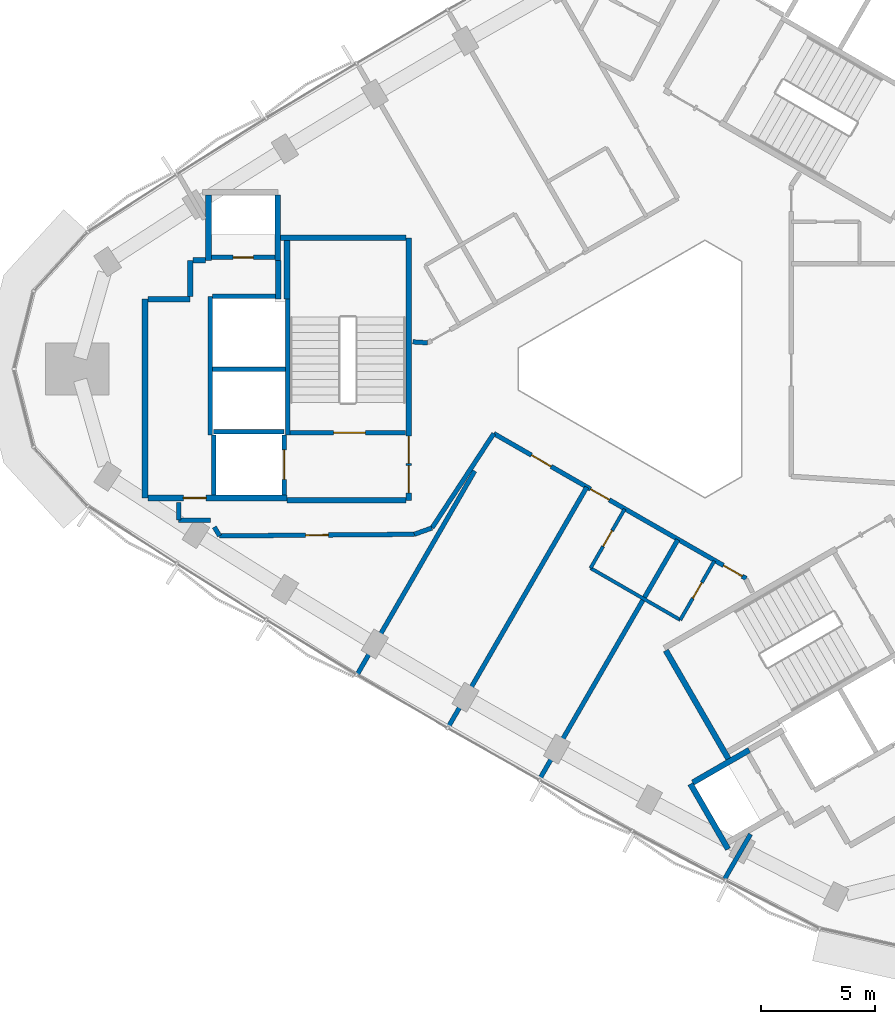
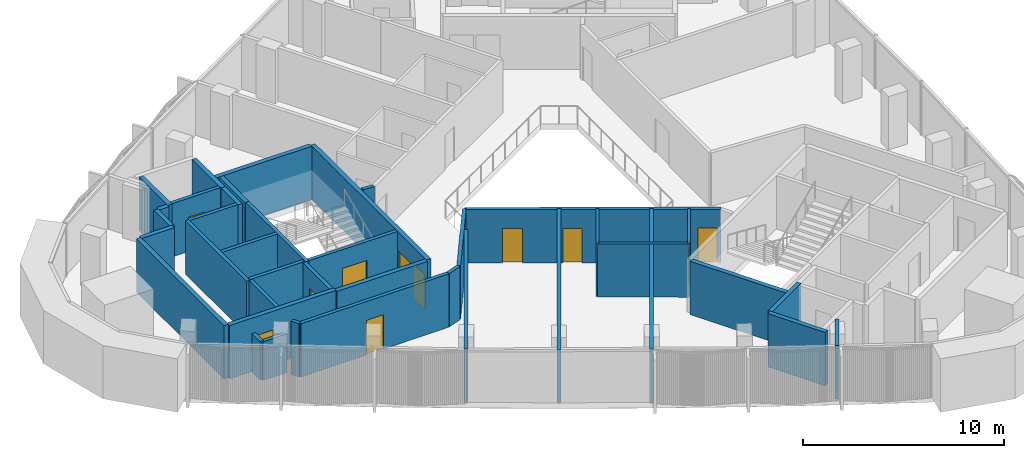
# One storey, part 8 of 14: 39 walls, 12 doors, 12 openings.
"""IFC4 building model written with IfcOpenShell, lengths in metres."""

from ifc_helpers import new_model, si_unit, direction, frame, frame_2d, origin, place, context, subcontext, project, spatial, rectangle, extrude, material, layer, layer_set, type_object, element, fill, save


model = new_model("IFC4")

# Units and contexts
model_context = context("Model", 3, precision=1e-05, world=origin(), true_north=direction((0.0, 1.0)))
body_context = subcontext(model_context, "Body", "Model", "MODEL_VIEW")
ifc_project = project(units=[si_unit("LENGTHUNIT", "METRE"), si_unit("AREAUNIT", "SQUARE_METRE"), si_unit("VOLUMEUNIT", "CUBIC_METRE"), si_unit("PLANEANGLEUNIT", "RADIAN"), si_unit("MASSUNIT", "GRAM", prefix="KILO")], contexts=[model_context])

# Site, building, storey
site_placement = place(None, origin())
site = spatial("IfcSite", under=ifc_project, at=site_placement, CompositionType="ELEMENT")
building_placement = place(site_placement, origin())
building = spatial("IfcBuilding", under=site, at=building_placement, Name="Tamra Quay Hotel Tower", CompositionType="ELEMENT")
storey_placement = place(building_placement, frame((0.0, 0.0, 228.60009765625)))
storey = spatial("IfcBuildingStorey", under=building, at=storey_placement, Name="L57", CompositionType="ELEMENT", Elevation=228.60009765625)

# Walls
ifc_material_1 = material(Name="Concrete M70", Category="concrete")
ifc_layer_1 = layer(ifc_material_1, 0.199951171875)
ifc_layer_set_1 = layer_set([ifc_layer_1], Name="Concrete M70 core wall 200")
wall_type_1 = type_object("IfcWallType", Name="Concrete M70 core wall 200", PredefinedType="SHEAR", material=ifc_layer_set_1)
wall_1_placement = place(storey_placement, frame((-16.162109375, 3.073974609375, 0.0), z_axis=(0.0, 0.0, 1.0), x_axis=(0.0, -1.0, 0.0)))
element("IfcWall", 1, at=wall_1_placement, inside=storey, type_object=wall_type_1, Name="CW2", PredefinedType="SHEAR", context=body_context, shape_type="SweptSolid", body=[
    extrude(rectangle(XDim=5.97412109375, YDim=0.199951171875, at=frame_2d((2.987060546875, 0.0))), origin(), (0.0, 0.0, 1.0), 3.25),
])
wall_2_placement = place(storey_placement, frame((-19.5625, -2.900146484375, 0.0), z_axis=(0.0, 0.0, 1.0), x_axis=(0.0, 1.0, 0.0)))
element("IfcWall", 2, at=wall_2_placement, inside=storey, type_object=wall_type_1, Name="CW2", PredefinedType="SHEAR", context=body_context, shape_type="SweptSolid", body=[
    extrude(rectangle(XDim=6.100341796875, YDim=0.199951171875, at=frame_2d((3.05029296875, 0.0))), origin(), (0.0, 0.0, 1.0), 3.25),
])

# Wall, opening, door
wall_3_placement = place(storey_placement, frame((-10.96337890625, -2.800048828125, 0.0), z_axis=(0.0, 0.0, 1.0), x_axis=(-1.0, 0.0, 0.0)))
wall_3 = element("IfcWall", 3, at=wall_3_placement, inside=storey, type_object=wall_type_1, Name="CW2", PredefinedType="SHEAR", context=body_context, shape_type="SweptSolid", body=[
    extrude(rectangle(XDim=5.097900390625, YDim=0.199951171875, at=frame_2d((2.548828125, 0.0))), origin(), (0.0, 0.0, 1.0), 3.25),
])
opening_1_placement = place(wall_3_placement, frame((1.77392578125, 0.0, 0.0)))
opening_1 = element("IfcOpeningElement", 4, at=opening_1_placement, cuts=wall_3, Name="Opening FD2", PredefinedType="OPENING", context=body_context, shape_type="SweptSolid", body=[
    extrude(rectangle(XDim=1.39990234375, YDim=2.10009765625, at=frame_2d((0.699951171875, 1.050048828125))), frame((0.0, 0.10986328125, 0.0), z_axis=(0.0, -1.0, 0.0), x_axis=(1.0, 0.0, 0.0)), (0.0, 0.0, 1.0), 0.219970703125),
])
ifc_material_2 = material(Name="Core door FD2 1400x2100 LH")
door_type_1 = type_object("IfcDoorType", Name="Core door FD2 1400x2100 LH", OperationType="NOTDEFINED", PredefinedType="DOOR", material=ifc_material_2)
door_1_placement = place(opening_1_placement, origin())
door_1 = element("IfcDoor", 5, at=door_1_placement, inside=storey, type_object=door_type_1, Name="FD2", OperationType="SINGLE_SWING_LEFT", OverallHeight=2.10009765625, OverallWidth=1.39990234375, PredefinedType="DOOR", context=body_context, shape_type="SweptSolid", body=[
    extrude(rectangle(XDim=1.39990234375, YDim=2.10009765625, at=frame_2d((0.699951171875, 1.050048828125))), frame((0.0, 0.02490234375, 0.0), z_axis=(0.0, -1.0, 0.0), x_axis=(1.0, 0.0, 0.0)), (0.0, 0.0, 1.0), 0.050048828125),
])
fill(opening_1, door_1)

# Wall
wall_4_placement = place(storey_placement, frame((-16.26318359375, 0.0, 0.0), z_axis=(0.0, 0.0, 1.0), x_axis=(-1.0, 0.0, 0.0)))
element("IfcWall", 6, at=wall_4_placement, inside=storey, type_object=wall_type_1, Name="CW2", PredefinedType="SHEAR", context=body_context, shape_type="SweptSolid", body=[
    extrude(rectangle(XDim=3.1982421875, YDim=0.199951171875, at=frame_2d((1.59912109375, 0.0))), origin(), (0.0, 0.0, 1.0), 3.25),
])

# Wall, opening, door
wall_5_placement = place(storey_placement, frame((-19.51123046875, 4.91015625, 0.0), z_axis=(0.0, 0.0, 1.0), x_axis=(1.0, 0.0, 0.0)))
wall_5 = element("IfcWall", 7, at=wall_5_placement, inside=storey, type_object=wall_type_1, Name="CW2", PredefinedType="SHEAR", context=body_context, shape_type="SweptSolid", body=[
    extrude(rectangle(XDim=2.7978515625, YDim=0.199951171875, at=frame_2d((1.39892578125, 0.0))), origin(), (0.0, 0.0, 1.0), 3.25),
])
opening_2_placement = place(wall_5_placement, frame((0.948974609375, 0.0, 0.0)))
opening_2 = element("IfcOpeningElement", 8, at=opening_2_placement, cuts=wall_5, Name="Opening D1", PredefinedType="OPENING", context=body_context, shape_type="SweptSolid", body=[
    extrude(rectangle(XDim=0.89990234375, YDim=2.10009765625, at=frame_2d((0.449951171875, 1.050048828125))), frame((0.0, 0.10986328125, 0.0), z_axis=(0.0, -1.0, 0.0), x_axis=(1.0, 0.0, 0.0)), (0.0, 0.0, 1.0), 0.219970703125),
])
ifc_material_3 = material(Name="Core door D1 900x2100 RH")
door_type_2 = type_object("IfcDoorType", Name="Core door D1 900x2100 RH", OperationType="NOTDEFINED", PredefinedType="DOOR", material=ifc_material_3)
door_2_placement = place(opening_2_placement, origin())
door_2 = element("IfcDoor", 9, at=door_2_placement, inside=storey, type_object=door_type_2, Name="D1", OperationType="SINGLE_SWING_RIGHT", OverallHeight=2.10009765625, OverallWidth=0.89990234375, PredefinedType="DOOR", context=body_context, shape_type="SweptSolid", body=[
    extrude(rectangle(XDim=0.89990234375, YDim=2.10009765625, at=frame_2d((0.449951171875, 1.050048828125))), frame((0.0, 0.02490234375, 0.0), z_axis=(0.0, -1.0, 0.0), x_axis=(1.0, 0.0, 0.0)), (0.0, 0.0, 1.0), 0.050048828125),
])
fill(opening_2, door_2)

# Walls
wall_6_placement = place(storey_placement, frame((-19.46240234375, 3.2001953125, 0.0), z_axis=(0.0, 0.0, 1.0), x_axis=(1.0, 0.0, 0.0)))
element("IfcWall", 10, at=wall_6_placement, inside=storey, type_object=wall_type_1, Name="CW2", PredefinedType="SHEAR", context=body_context, shape_type="SweptSolid", body=[
    extrude(rectangle(XDim=2.759033203125, YDim=0.199951171875, at=frame_2d((1.37939453125, 0.0))), origin(), (0.0, 0.0, 1.0), 3.25),
])
wall_7_placement = place(storey_placement, frame((-19.412353515625, -2.75, 0.0), z_axis=(0.0, 0.0, 1.0), x_axis=(1.0, 0.0, 0.0)))
element("IfcWall", 11, at=wall_7_placement, inside=storey, type_object=wall_type_1, Name="CW2", PredefinedType="SHEAR", context=body_context, shape_type="SweptSolid", body=[
    extrude(rectangle(XDim=3.10009765625, YDim=0.199951171875, at=frame_2d((1.550048828125, 0.0))), origin(), (0.0, 0.0, 1.0), 3.25),
])

# Wall, opening, door
wall_8_placement = place(storey_placement, frame((-16.312255859375, -2.898193359375, 0.0), z_axis=(0.0, 0.0, 1.0), x_axis=(0.0, -1.0, 0.0)))
wall_8 = element("IfcWall", 12, at=wall_8_placement, inside=storey, type_object=wall_type_1, Name="CW2", PredefinedType="SHEAR", context=body_context, shape_type="SweptSolid", body=[
    extrude(rectangle(XDim=2.65087890625, YDim=0.199951171875, at=frame_2d((1.325439453125, 0.0))), origin(), (0.0, 0.0, 1.0), 3.25),
])
opening_3_placement = place(wall_8_placement, frame((0.65185546875, 0.0, 0.0)))
opening_3 = element("IfcOpeningElement", 13, at=opening_3_placement, cuts=wall_8, Name="Opening LD", PredefinedType="OPENING", context=body_context, shape_type="SweptSolid", body=[
    extrude(rectangle(XDim=1.300048828125, YDim=2.10009765625, at=frame_2d((0.64990234375, 1.050048828125))), frame((0.0, 0.10986328125, 0.0), z_axis=(0.0, -1.0, 0.0), x_axis=(1.0, 0.0, 0.0)), (0.0, 0.0, 1.0), 0.219970703125),
])
ifc_material_4 = material(Name="Landing door LD 1300 sliding to left")
door_type_3 = type_object("IfcDoorType", Name="Landing door LD 1300 sliding to left", OperationType="NOTDEFINED", PredefinedType="DOOR", material=ifc_material_4)
door_3_placement = place(opening_3_placement, origin())
door_3 = element("IfcDoor", 14, at=door_3_placement, inside=storey, type_object=door_type_3, Name="LD", OperationType="SLIDING_TO_LEFT", OverallHeight=2.10009765625, OverallWidth=1.300048828125, PredefinedType="DOOR", context=body_context, shape_type="SweptSolid", body=[
    extrude(rectangle(XDim=1.300048828125, YDim=2.10009765625, at=frame_2d((0.64990234375, 1.050048828125))), frame((0.0, 0.02490234375, 0.0), z_axis=(0.0, -1.0, 0.0), x_axis=(1.0, 0.0, 0.0)), (0.0, 0.0, 1.0), 0.050048828125),
])
fill(opening_3, door_3)

# Wall
wall_9_placement = place(storey_placement, frame((-19.412353515625, -5.549072265625, 0.0), z_axis=(0.0, 0.0, 1.0), x_axis=(0.0, 1.0, 0.0)))
element("IfcWall", 15, at=wall_9_placement, inside=storey, type_object=wall_type_1, Name="CW2", PredefinedType="SHEAR", context=body_context, shape_type="SweptSolid", body=[
    extrude(rectangle(XDim=2.65087890625, YDim=0.199951171875, at=frame_2d((1.325439453125, 0.0))), origin(), (0.0, 0.0, 1.0), 3.25),
])

# Wall, openings, doors
ifc_layer_2 = layer(ifc_material_1, 0.25)
ifc_layer_set_2 = layer_set([ifc_layer_2], Name="Concrete M70 core wall 250")
wall_type_2 = type_object("IfcWallType", Name="Concrete M70 core wall 250", PredefinedType="SHEAR", material=ifc_layer_set_2)
wall_10_placement = place(storey_placement, frame((-10.83740234375, 5.77490234375, 0.0), z_axis=(0.0, 0.0, 1.0), x_axis=(0.0, -1.0, 0.0)))
wall_10 = element("IfcWall", 16, at=wall_10_placement, inside=storey, type_object=wall_type_2, Name="CW1", PredefinedType="SHEAR", context=body_context, shape_type="SweptSolid", body=[
    extrude(rectangle(XDim=11.5498046875, YDim=0.25, at=frame_2d((5.77490234375, 0.0))), origin(), (0.0, 0.0, 1.0), 3.25),
])
opening_4_placement = place(wall_10_placement, frame((10.02490234375, 0.0, 0.0)))
opening_4 = element("IfcOpeningElement", 17, at=opening_4_placement, cuts=wall_10, Name="Opening FD1", PredefinedType="OPENING", context=body_context, shape_type="SweptSolid", body=[
    extrude(rectangle(XDim=1.199951171875, YDim=2.10009765625, at=frame_2d((0.60009765625, 1.050048828125))), frame((0.0, 0.135009765625, 0.0), z_axis=(0.0, -1.0, 0.0), x_axis=(1.0, 0.0, 0.0)), (0.0, 0.0, 1.0), 0.27001953125),
])
opening_5_placement = place(wall_10_placement, frame((8.72509765625, 0.0, 0.0)))
opening_5 = element("IfcOpeningElement", 18, at=opening_5_placement, cuts=wall_10, Name="Opening FD1", PredefinedType="OPENING", context=body_context, shape_type="SweptSolid", body=[
    extrude(rectangle(XDim=1.199951171875, YDim=2.10009765625, at=frame_2d((0.60009765625, 1.050048828125))), frame((0.0, 0.135009765625, 0.0), z_axis=(0.0, -1.0, 0.0), x_axis=(1.0, 0.0, 0.0)), (0.0, 0.0, 1.0), 0.27001953125),
])
ifc_material_5 = material(Name="Core door FD1 1200x2100 LH")
door_type_4 = type_object("IfcDoorType", Name="Core door FD1 1200x2100 LH", OperationType="NOTDEFINED", PredefinedType="DOOR", material=ifc_material_5)
door_4_placement = place(opening_4_placement, origin())
door_4 = element("IfcDoor", 19, at=door_4_placement, inside=storey, type_object=door_type_4, Name="FD1", OperationType="SINGLE_SWING_LEFT", OverallHeight=2.10009765625, OverallWidth=1.199951171875, PredefinedType="DOOR", context=body_context, shape_type="SweptSolid", body=[
    extrude(rectangle(XDim=1.199951171875, YDim=2.10009765625, at=frame_2d((0.60009765625, 1.050048828125))), frame((0.0, 0.02490234375, 0.0), z_axis=(0.0, -1.0, 0.0), x_axis=(1.0, 0.0, 0.0)), (0.0, 0.0, 1.0), 0.050048828125),
])
fill(opening_4, door_4)
ifc_material_6 = material(Name="Core door FD1 1200x2100 RH")
door_type_5 = type_object("IfcDoorType", Name="Core door FD1 1200x2100 RH", OperationType="NOTDEFINED", PredefinedType="DOOR", material=ifc_material_6)
door_5_placement = place(opening_5_placement, origin())
door_5 = element("IfcDoor", 20, at=door_5_placement, inside=storey, type_object=door_type_5, Name="FD1", OperationType="SINGLE_SWING_RIGHT", OverallHeight=2.10009765625, OverallWidth=1.199951171875, PredefinedType="DOOR", context=body_context, shape_type="SweptSolid", body=[
    extrude(rectangle(XDim=1.199951171875, YDim=2.10009765625, at=frame_2d((0.60009765625, 1.050048828125))), frame((0.0, 0.02490234375, 0.0), z_axis=(0.0, -1.0, 0.0), x_axis=(1.0, 0.0, 0.0)), (0.0, 0.0, 1.0), 0.050048828125),
])
fill(opening_5, door_5)

# Wall
wall_11_placement = place(storey_placement, frame((-22.437255859375, -5.675048828125, 0.0), z_axis=(0.0, 0.0, 1.0), x_axis=(0.0, 1.0, 0.0)))
element("IfcWall", 21, at=wall_11_placement, inside=storey, type_object=wall_type_2, Name="CW1", PredefinedType="SHEAR", context=body_context, shape_type="SweptSolid", body=[
    extrude(rectangle(XDim=8.75, YDim=0.25, at=frame_2d((4.375, 0.0))), origin(), (0.0, 0.0, 1.0), 3.25),
])

# Wall, opening, door
wall_12_placement = place(storey_placement, frame((-16.187255859375, -5.675048828125, 0.0), z_axis=(0.0, 0.0, 1.0), x_axis=(-1.0, 0.0, 0.0)))
wall_12 = element("IfcWall", 22, at=wall_12_placement, inside=storey, type_object=wall_type_2, Name="CW1", PredefinedType="SHEAR", context=body_context, shape_type="SweptSolid", body=[
    extrude(rectangle(XDim=6.12451171875, YDim=0.25, at=frame_2d((3.062255859375, 0.0))), origin(), (0.0, 0.0, 1.0), 3.25),
])
opening_6_placement = place(wall_12_placement, frame((3.562744140625, 0.0, 0.0)))
opening_6 = element("IfcOpeningElement", 23, at=opening_6_placement, cuts=wall_12, Name="Opening FD3", PredefinedType="OPENING", context=body_context, shape_type="SweptSolid", body=[
    extrude(rectangle(XDim=1.0, YDim=2.10009765625, at=frame_2d((0.5, 1.050048828125))), frame((0.0, 0.135009765625, 0.0), z_axis=(0.0, -1.0, 0.0), x_axis=(1.0, 0.0, 0.0)), (0.0, 0.0, 1.0), 0.27001953125),
])
ifc_material_7 = material(Name="Core door FD3 1000x2100 LH")
door_type_6 = type_object("IfcDoorType", Name="Core door FD3 1000x2100 LH", OperationType="NOTDEFINED", PredefinedType="DOOR", material=ifc_material_7)
door_6_placement = place(opening_6_placement, origin())
door_6 = element("IfcDoor", 24, at=door_6_placement, inside=storey, type_object=door_type_6, Name="FD3", OperationType="SINGLE_SWING_LEFT", OverallHeight=2.10009765625, OverallWidth=1.0, PredefinedType="DOOR", context=body_context, shape_type="SweptSolid", body=[
    extrude(rectangle(XDim=1.0, YDim=2.10009765625, at=frame_2d((0.5, 1.050048828125))), frame((0.0, 0.02490234375, 0.0), z_axis=(0.0, -1.0, 0.0), x_axis=(1.0, 0.0, 0.0)), (0.0, 0.0, 1.0), 0.050048828125),
])
fill(opening_6, door_6)

# Walls
wall_13_placement = place(storey_placement, frame((-10.962646484375, -5.77490234375, 0.0), z_axis=(0.0, 0.0, 1.0), x_axis=(-1.0, 0.0, 0.0)))
element("IfcWall", 25, at=wall_13_placement, inside=storey, type_object=wall_type_2, Name="CW1", PredefinedType="SHEAR", context=body_context, shape_type="SweptSolid", body=[
    extrude(rectangle(XDim=5.224609375, YDim=0.25, at=frame_2d((2.6123046875, 0.0))), origin(), (0.0, 0.0, 1.0), 3.25),
])
wall_14_placement = place(storey_placement, frame((-16.47216796875, 5.77490234375, 0.0), z_axis=(0.0, 0.0, 1.0), x_axis=(1.0, 0.0, 0.0)))
element("IfcWall", 26, at=wall_14_placement, inside=storey, type_object=wall_type_2, Name="CW1", PredefinedType="SHEAR", context=body_context, shape_type="SweptSolid", body=[
    extrude(rectangle(XDim=5.509521484375, YDim=0.25, at=frame_2d((2.7548828125, 0.0))), origin(), (0.0, 0.0, 1.0), 3.25),
])
for number, where, z_axis, x_axis, name in (
    (27, (-16.58740234375, 7.649658203125, 0.0), (0.0, 0.0, 1.0), (0.0, -1.0, 0.0), "CW1"),
    (28, (-19.63720703125, 4.784912109375, 0.0), (0.0, 0.0, 1.0), (0.0, 1.0, 0.0), "CW1"),
):
    element("IfcWall", number, at=place(storey_placement, frame(where, z_axis=z_axis, x_axis=x_axis)), inside=storey, type_object=wall_type_2, Name=name, PredefinedType="SHEAR", context=body_context, shape_type="SweptSolid", body=[
        extrude(rectangle(XDim=2.86474609375, YDim=0.25, at=frame_2d((1.432373046875, 0.0))), origin(), (0.0, 0.0, 1.0), 3.25),
    ])
wall_15_placement = place(storey_placement, frame((-16.187255859375, 3.074951171875, 0.0), z_axis=(0.0, 0.0, 1.0), x_axis=(0.0, 1.0, 0.0)))
element("IfcWall", 29, at=wall_15_placement, inside=storey, type_object=wall_type_2, Name="CW1", PredefinedType="SHEAR", context=body_context, shape_type="SweptSolid", body=[
    extrude(rectangle(XDim=2.57470703125, YDim=0.25, at=frame_2d((1.287353515625, 0.0))), origin(), (0.0, 0.0, 1.0), 3.25),
])
wall_16_placement = place(storey_placement, frame((-22.311767578125, 3.074951171875, 0.0), z_axis=(0.0, 0.0, 1.0), x_axis=(1.0, 0.0, 0.0)))
element("IfcWall", 30, at=wall_16_placement, inside=storey, type_object=wall_type_2, Name="CW1", PredefinedType="SHEAR", context=body_context, shape_type="SweptSolid", body=[
    extrude(rectangle(XDim=1.864501953125, YDim=0.25, at=frame_2d((0.93212890625, 0.0))), origin(), (0.0, 0.0, 1.0), 3.25),
])
wall_17_placement = place(storey_placement, frame((-16.577392578125, 4.784912109375, 0.0), z_axis=(0.0, 0.0, 1.0), x_axis=(0.0, -1.0, 0.0)))
element("IfcWall", 31, at=wall_17_placement, inside=storey, type_object=wall_type_2, Name="CW1", PredefinedType="SHEAR", context=body_context, shape_type="SweptSolid", body=[
    extrude(rectangle(XDim=1.7099609375, YDim=0.25, at=frame_2d((0.85498046875, 0.0))), origin(), (0.0, 0.0, 1.0), 3.25),
])
wall_18_placement = place(storey_placement, frame((-20.447265625, 3.200439453125, 0.0), z_axis=(0.0, 0.0, 1.0), x_axis=(0.0, 1.0, 0.0)))
element("IfcWall", 32, at=wall_18_placement, inside=storey, type_object=wall_type_2, Name="CW1", PredefinedType="SHEAR", context=body_context, shape_type="SweptSolid", body=[
    extrude(rectangle(XDim=1.58447265625, YDim=0.25, at=frame_2d((0.792236328125, 0.0))), origin(), (0.0, 0.0, 1.0), 3.25),
])
wall_19_placement = place(storey_placement, frame((-20.32177734375, 4.784912109375, 0.0), z_axis=(0.0, 0.0, 1.0), x_axis=(1.0, 0.0, 0.0)))
element("IfcWall", 33, at=wall_19_placement, inside=storey, type_object=wall_type_2, Name="CW1", PredefinedType="SHEAR", context=body_context, shape_type="SweptSolid", body=[
    extrude(rectangle(XDim=0.55908203125, YDim=0.25, at=frame_2d((0.279541015625, 0.0))), origin(), (0.0, 0.0, 1.0), 3.25),
])
wall_20_placement = place(storey_placement, frame((3.23486328125, -17.15283203125, 0.0), z_axis=(0.0, 0.0, 1.0), x_axis=(-0.500008851346, 0.866020293397, 0.0)))
element("IfcWall", 34, at=wall_20_placement, inside=storey, type_object=wall_type_2, Name="CW1", PredefinedType="SHEAR", context=body_context, shape_type="SweptSolid", body=[
    extrude(rectangle(XDim=5.509765625, YDim=0.25, at=frame_2d((2.7548828125, 0.0))), origin(), (0.0, 0.0, 1.0), 3.25),
])
wall_21_placement = place(storey_placement, frame((3.216796875, -21.12158203125, 0.0), z_axis=(0.0, 0.0, 1.0), x_axis=(-0.499998874531, 0.866026053573, 0.0)))
element("IfcWall", 35, at=wall_21_placement, inside=storey, type_object=wall_type_2, Name="CW1", PredefinedType="SHEAR", context=body_context, shape_type="SweptSolid", body=[
    extrude(rectangle(XDim=3.31298828125, YDim=0.25, at=frame_2d((1.656494140625, 0.0))), origin(), (0.0, 0.0, 1.0), 3.25),
])
wall_22_placement = place(storey_placement, frame((1.6689453125, -18.189697265625, 0.0), z_axis=(0.0, 0.0, 1.0), x_axis=(0.866042235819, 0.499970844928, 0.0)))
element("IfcWall", 36, at=wall_22_placement, inside=storey, type_object=wall_type_2, Name="CW1", PredefinedType="SHEAR", context=body_context, shape_type="SweptSolid", body=[
    extrude(rectangle(XDim=2.864501953125, YDim=0.25, at=frame_2d((1.43212890625, 0.0))), origin(), (0.0, 0.0, 1.0), 3.25),
])
ifc_material_8 = material(Name="Partition corridor wall")
ifc_layer_3 = layer(ifc_material_8, 0.199951171875)
ifc_layer_set_3 = layer_set([ifc_layer_3], Name="Partition corridor wall")
wall_type_3 = type_object("IfcWallType", Name="Partition corridor wall", PredefinedType="PARTITIONING", material=ifc_layer_set_3)
wall_23_placement = place(storey_placement, frame((-20.949951171875, -6.64990234375, 0.0), z_axis=(0.0, 0.0, 1.0), x_axis=(0.0, 1.0, 0.0)))
element("IfcWall", 37, at=wall_23_placement, inside=storey, type_object=wall_type_3, Name="W-C", PredefinedType="PARTITIONING", context=body_context, shape_type="SweptSolid", body=[
    extrude(rectangle(XDim=0.789794921875, YDim=0.199951171875, at=frame_2d((0.39501953125, 0.0))), origin(), (0.0, 0.0, 1.0), 2.349853515625),
])
wall_24_placement = place(storey_placement, frame((-20.949951171875, -6.64990234375, 0.0), z_axis=(0.0, 0.0, 1.0), x_axis=(1.0, 0.0, 0.0)))
element("IfcWall", 38, at=wall_24_placement, inside=storey, type_object=wall_type_3, Name="W-C", PredefinedType="PARTITIONING", context=body_context, shape_type="SweptSolid", body=[
    extrude(rectangle(XDim=1.386962890625, YDim=0.199951171875, at=frame_2d((0.693359375, 0.0))), origin(), (0.0, 0.0, 1.0), 2.349853515625),
])
wall_25_placement = place(storey_placement, frame((-19.14990234375, -7.339111328125, 0.0), z_axis=(0.0, 0.0, 1.0), x_axis=(-0.513941661048, 0.857825138964, 0.0)))
element("IfcWall", 39, at=wall_25_placement, inside=storey, type_object=wall_type_3, Name="W-C", PredefinedType="PARTITIONING", context=body_context, shape_type="SweptSolid", body=[
    extrude(rectangle(XDim=0.45361328125, YDim=0.199951171875, at=frame_2d((0.226806640625, 0.0))), origin(), (0.0, 0.0, 1.0), 3.25),
])

# Wall, opening, door
wall_26_placement = place(storey_placement, frame((-19.14990234375, -7.341064453125, 0.0), z_axis=(0.0, 0.0, 1.0), x_axis=(0.999964623126, 0.008411450351, 0.0)))
wall_26 = element("IfcWall", 40, at=wall_26_placement, inside=storey, type_object=wall_type_3, Name="W-C", PredefinedType="PARTITIONING", context=body_context, shape_type="SweptSolid", body=[
    extrude(rectangle(XDim=8.562255859375, YDim=0.199951171875, at=frame_2d((4.28125, 0.0))), origin(), (0.0, 0.0, 1.0), 3.25),
])
opening_7_placement = place(wall_26_placement, frame((3.78125, 0.0, 0.0)))
opening_7 = element("IfcOpeningElement", 41, at=opening_7_placement, cuts=wall_26, Name="Opening L57-D009", PredefinedType="OPENING", context=body_context, shape_type="SweptSolid", body=[
    extrude(rectangle(XDim=1.0, YDim=2.10009765625, at=frame_2d((0.5, 1.050048828125))), frame((0.0, 0.10986328125, 0.0), z_axis=(0.0, -1.0, 0.0), x_axis=(1.0, 0.0, 0.0)), (0.0, 0.0, 1.0), 0.219970703125),
])
ifc_material_9 = material(Name="Door guest room 1000x2100")
door_type_7 = type_object("IfcDoorType", Name="Door guest room 1000x2100", OperationType="NOTDEFINED", PredefinedType="DOOR", material=ifc_material_9)
door_7_placement = place(opening_7_placement, origin())
door_7 = element("IfcDoor", 42, at=door_7_placement, inside=storey, type_object=door_type_7, Name="L57-D009", OperationType="SINGLE_SWING_LEFT", OverallHeight=2.10009765625, OverallWidth=1.0, PredefinedType="DOOR", context=body_context, shape_type="SweptSolid", body=[
    extrude(rectangle(XDim=1.0, YDim=2.10009765625, at=frame_2d((0.5, 1.050048828125))), frame((0.0, 0.02490234375, 0.0), z_axis=(0.0, -1.0, 0.0), x_axis=(1.0, 0.0, 0.0)), (0.0, 0.0, 1.0), 0.050048828125),
])
fill(opening_7, door_7)

# Walls
wall_27_placement = place(storey_placement, frame((-10.65234375, 1.1962890625, 0.0), z_axis=(0.0, 0.0, 1.0), x_axis=(0.998005794618, -0.063122372489, 0.0)))
element("IfcWall", 43, at=wall_27_placement, inside=storey, type_object=wall_type_3, Name="W-C", PredefinedType="PARTITIONING", context=body_context, shape_type="SweptSolid", body=[
    extrude(rectangle(XDim=0.653564453125, YDim=0.199951171875, at=frame_2d((0.32666015625, 0.0))), origin(), (0.0, 0.0, 1.0), 3.25),
])
wall_28_placement = place(storey_placement, frame((-10.587890625, -7.26904296875, 0.0), z_axis=(0.0, 0.0, 1.0), x_axis=(0.941741911595, 0.336336396998, 0.0)))
element("IfcWall", 44, at=wall_28_placement, inside=storey, type_object=wall_type_3, Name="W-C", PredefinedType="PARTITIONING", context=body_context, shape_type="SweptSolid", body=[
    extrude(rectangle(XDim=0.823974609375, YDim=0.199951171875, at=frame_2d((0.412109375, 0.0))), origin(), (0.0, 0.0, 1.0), 3.25),
])
wall_29_placement = place(storey_placement, frame((-9.80810546875, -6.989013671875, 0.0), z_axis=(0.0, 0.0, 1.0), x_axis=(0.547746188785, 0.836644555753, 0.0)))
element("IfcWall", 45, at=wall_29_placement, inside=storey, type_object=wall_type_3, Name="W-C", PredefinedType="PARTITIONING", context=body_context, shape_type="SweptSolid", body=[
    extrude(rectangle(XDim=4.9638671875, YDim=0.199951171875, at=frame_2d((2.48193359375, 0.0))), origin(), (0.0, 0.0, 1.0), 3.25),
])

# Wall, openings, doors
wall_30_placement = place(storey_placement, frame((-7.089111328125, -2.8359375, 0.0), z_axis=(0.0, 0.0, 1.0), x_axis=(0.867106243364, -0.498123240493, 0.0)))
wall_30 = element("IfcWall", 46, at=wall_30_placement, inside=storey, type_object=wall_type_3, Name="W-C", PredefinedType="PARTITIONING", context=body_context, shape_type="SweptSolid", body=[
    extrude(rectangle(XDim=12.804443359375, YDim=0.199951171875, at=frame_2d((6.40234375, 0.0))), origin(), (0.0, 0.0, 1.0), 3.25),
])
opening_8_placement = place(wall_30_placement, frame((1.9091796875, 0.0, 0.0)))
opening_8 = element("IfcOpeningElement", 47, at=opening_8_placement, cuts=wall_30, Name="Opening L57-D010", PredefinedType="OPENING", context=body_context, shape_type="SweptSolid", body=[
    extrude(rectangle(XDim=1.0, YDim=2.10009765625, at=frame_2d((0.5, 1.050048828125))), frame((0.0, 0.10986328125, 0.0), z_axis=(0.0, -1.0, 0.0), x_axis=(1.0, 0.0, 0.0)), (0.0, 0.0, 1.0), 0.219970703125),
])
opening_9_placement = place(wall_30_placement, frame((4.909912109375, 0.0, 0.0)))
opening_9 = element("IfcOpeningElement", 48, at=opening_9_placement, cuts=wall_30, Name="Opening L57-D011", PredefinedType="OPENING", context=body_context, shape_type="SweptSolid", body=[
    extrude(rectangle(XDim=0.949951171875, YDim=2.10009765625, at=frame_2d((0.47509765625, 1.050048828125))), frame((0.0, 0.10986328125, 0.0), z_axis=(0.0, -1.0, 0.0), x_axis=(1.0, 0.0, 0.0)), (0.0, 0.0, 1.0), 0.219970703125),
])
opening_10_placement = place(wall_30_placement, frame((11.654296875, 0.0, 0.0)))
opening_10 = element("IfcOpeningElement", 49, at=opening_10_placement, cuts=wall_30, Name="Opening L57-D013", PredefinedType="OPENING", context=body_context, shape_type="SweptSolid", body=[
    extrude(rectangle(XDim=0.949951171875, YDim=2.10009765625, at=frame_2d((0.47509765625, 1.050048828125))), frame((0.0, 0.10986328125, 0.0), z_axis=(0.0, -1.0, 0.0), x_axis=(1.0, 0.0, 0.0)), (0.0, 0.0, 1.0), 0.219970703125),
])
door_8_placement = place(opening_8_placement, frame((1.0, 0.0, 0.0), z_axis=(0.0, 0.0, 1.0), x_axis=(-1.0, 0.0, 0.0)))
door_8 = element("IfcDoor", 50, at=door_8_placement, inside=storey, type_object=door_type_7, Name="L57-D010", OperationType="SINGLE_SWING_LEFT", OverallHeight=2.10009765625, OverallWidth=1.0, PredefinedType="DOOR", context=body_context, shape_type="SweptSolid", body=[
    extrude(rectangle(XDim=1.0, YDim=2.10009765625, at=frame_2d((0.5, 1.050048828125))), frame((0.0, 0.02490234375, 0.0), z_axis=(0.0, -1.0, 0.0), x_axis=(1.0, 0.0, 0.0)), (0.0, 0.0, 1.0), 0.050048828125),
])
fill(opening_8, door_8)
ifc_material_10 = material(Name="Door guest room 950x2100")
door_type_8 = type_object("IfcDoorType", Name="Door guest room 950x2100", OperationType="NOTDEFINED", PredefinedType="DOOR", material=ifc_material_10)
door_9_placement = place(opening_9_placement, frame((0.949951171875, 0.0, 0.0), z_axis=(0.0, 0.0, 1.0), x_axis=(-1.0, 0.0, 0.0)))
door_9 = element("IfcDoor", 51, at=door_9_placement, inside=storey, type_object=door_type_8, Name="L57-D011", OperationType="SINGLE_SWING_LEFT", OverallHeight=2.10009765625, OverallWidth=0.949951171875, PredefinedType="DOOR", context=body_context, shape_type="SweptSolid", body=[
    extrude(rectangle(XDim=0.949951171875, YDim=2.10009765625, at=frame_2d((0.47509765625, 1.050048828125))), frame((0.0, 0.02490234375, 0.0), z_axis=(0.0, -1.0, 0.0), x_axis=(1.0, 0.0, 0.0)), (0.0, 0.0, 1.0), 0.050048828125),
])
fill(opening_9, door_9)
door_10_placement = place(opening_10_placement, frame((0.949951171875, 0.0, 0.0), z_axis=(0.0, 0.0, 1.0), x_axis=(-1.0, 0.0, 0.0)))
door_10 = element("IfcDoor", 52, at=door_10_placement, inside=storey, type_object=door_type_8, Name="L57-D013", OperationType="SINGLE_SWING_LEFT", OverallHeight=2.10009765625, OverallWidth=0.949951171875, PredefinedType="DOOR", context=body_context, shape_type="SweptSolid", body=[
    extrude(rectangle(XDim=0.949951171875, YDim=2.10009765625, at=frame_2d((0.47509765625, 1.050048828125))), frame((0.0, 0.02490234375, 0.0), z_axis=(0.0, -1.0, 0.0), x_axis=(1.0, 0.0, 0.0)), (0.0, 0.0, 1.0), 0.050048828125),
])
fill(opening_10, door_10)

# Wall, opening, door
ifc_material_11 = material(Name="Partition en-suite wall")
ifc_layer_4 = layer(ifc_material_11, 0.14990234375)
ifc_layer_set_4 = layer_set([ifc_layer_4], Name="Partition en-suite wall")
wall_type_4 = type_object("IfcWallType", Name="Partition en-suite wall", PredefinedType="PARTITIONING", material=ifc_layer_set_4)
wall_31_placement = place(storey_placement, frame((-2.8330078125, -8.757080078125, 0.0), z_axis=(0.0, 0.0, 1.0), x_axis=(0.499990139034, 0.866031096941, 0.0)))
wall_31 = element("IfcWall", 53, at=wall_31_placement, inside=storey, type_object=wall_type_4, Name="W-E", PredefinedType="PARTITIONING", context=body_context, shape_type="SweptSolid", body=[
    extrude(rectangle(XDim=3.0, YDim=0.14990234375, at=frame_2d((1.5, 0.0))), origin(), (0.0, 0.0, 1.0), 3.25),
])
opening_11_placement = place(wall_31_placement, frame((1.10009765625, 0.0, 0.0)))
opening_11 = element("IfcOpeningElement", 54, at=opening_11_placement, cuts=wall_31, Name="Opening L57-D012", PredefinedType="OPENING", context=body_context, shape_type="SweptSolid", body=[
    extrude(rectangle(XDim=0.800048828125, YDim=2.10009765625, at=frame_2d((0.39990234375, 1.050048828125))), frame((0.0, 0.0849609375, 0.0), z_axis=(0.0, -1.0, 0.0), x_axis=(1.0, 0.0, 0.0)), (0.0, 0.0, 1.0), 0.169921875),
])
ifc_material_12 = material(Name="Door en-suite 800x2100")
door_type_9 = type_object("IfcDoorType", Name="Door en-suite 800x2100", OperationType="NOTDEFINED", PredefinedType="DOOR", material=ifc_material_12)
door_11_placement = place(opening_11_placement, frame((0.800048828125, 0.0, 0.0), z_axis=(0.0, 0.0, 1.0), x_axis=(-1.0, 0.0, 0.0)))
door_11 = element("IfcDoor", 55, at=door_11_placement, inside=storey, type_object=door_type_9, Name="L57-D012", OperationType="SINGLE_SWING_LEFT", OverallHeight=2.10009765625, OverallWidth=0.800048828125, PredefinedType="DOOR", context=body_context, shape_type="SweptSolid", body=[
    extrude(rectangle(XDim=0.800048828125, YDim=2.10009765625, at=frame_2d((0.39990234375, 1.050048828125))), frame((0.0, 0.02490234375, 0.0), z_axis=(0.0, -1.0, 0.0), x_axis=(1.0, 0.0, 0.0)), (0.0, 0.0, 1.0), 0.050048828125),
])
fill(opening_11, door_11)

# Wall
wall_32_placement = place(storey_placement, frame((-2.8330078125, -8.757080078125, 0.0), z_axis=(0.0, 0.0, 1.0), x_axis=(0.866002713795, -0.500039298155, 0.0)))
element("IfcWall", 56, at=wall_32_placement, inside=storey, type_object=wall_type_4, Name="W-E", PredefinedType="PARTITIONING", context=body_context, shape_type="SweptSolid", body=[
    extrude(rectangle(XDim=4.557861328125, YDim=0.14990234375, at=frame_2d((2.27880859375, 0.0))), origin(), (0.0, 0.0, 1.0), 3.25),
])

# Wall, opening, door
wall_33_placement = place(storey_placement, frame((1.114013671875, -11.035888671875, 0.0), z_axis=(0.0, 0.0, 1.0), x_axis=(0.50002537861, 0.866010750942, 0.0)))
wall_33 = element("IfcWall", 57, at=wall_33_placement, inside=storey, type_object=wall_type_4, Name="W-E", PredefinedType="PARTITIONING", context=body_context, shape_type="SweptSolid", body=[
    extrude(rectangle(XDim=2.999755859375, YDim=0.14990234375, at=frame_2d((1.5, 0.0))), origin(), (0.0, 0.0, 1.0), 3.25),
])
opening_12_placement = place(wall_33_placement, frame((1.10009765625, 0.0, 0.0)))
opening_12 = element("IfcOpeningElement", 58, at=opening_12_placement, cuts=wall_33, Name="Opening L57-D014", PredefinedType="OPENING", context=body_context, shape_type="SweptSolid", body=[
    extrude(rectangle(XDim=0.800048828125, YDim=2.10009765625, at=frame_2d((0.39990234375, 1.050048828125))), frame((0.0, 0.0849609375, 0.0), z_axis=(0.0, -1.0, 0.0), x_axis=(1.0, 0.0, 0.0)), (0.0, 0.0, 1.0), 0.169921875),
])
door_12_placement = place(opening_12_placement, origin())
door_12 = element("IfcDoor", 59, at=door_12_placement, inside=storey, type_object=door_type_9, Name="L57-D014", OperationType="SINGLE_SWING_LEFT", OverallHeight=2.10009765625, OverallWidth=0.800048828125, PredefinedType="DOOR", context=body_context, shape_type="SweptSolid", body=[
    extrude(rectangle(XDim=0.800048828125, YDim=2.10009765625, at=frame_2d((0.39990234375, 1.050048828125))), frame((0.0, 0.02490234375, 0.0), z_axis=(0.0, -1.0, 0.0), x_axis=(1.0, 0.0, 0.0)), (0.0, 0.0, 1.0), 0.050048828125),
])
fill(opening_12, door_12)

# Walls
ifc_material_13 = material(Name="Partition party wall")
ifc_layer_5 = layer(ifc_material_13, 0.199951171875)
ifc_layer_set_5 = layer_set([ifc_layer_5], Name="Partition party wall")
wall_type_5 = type_object("IfcWallType", Name="Partition party wall", PredefinedType="PARTITIONING", material=ifc_layer_set_5)
wall_34_placement = place(storey_placement, frame((-13.107421875, -13.452880859375, 0.0), z_axis=(0.0, 0.0, 1.0), x_axis=(0.500020349827, 0.866013654488, 0.0)))
element("IfcWall", 60, at=wall_34_placement, inside=storey, type_object=wall_type_5, Name="W-P", PredefinedType="PARTITIONING", context=body_context, shape_type="SweptSolid", body=[
    extrude(rectangle(XDim=10.357421875, YDim=0.199951171875, at=frame_2d((5.1787109375, 0.0))), origin(), (0.0, 0.0, 1.0), 3.25),
])
wall_35_placement = place(storey_placement, frame((-9.119384765625, -15.794677734375, 0.0), z_axis=(0.0, 0.0, 1.0), x_axis=(0.50001601051, 0.866016159915, 0.0)))
element("IfcWall", 61, at=wall_35_placement, inside=storey, type_object=wall_type_5, Name="W-P", PredefinedType="PARTITIONING", context=body_context, shape_type="SweptSolid", body=[
    extrude(rectangle(XDim=12.23828125, YDim=0.199951171875, at=frame_2d((6.119140625, 0.0))), origin(), (0.0, 0.0, 1.0), 3.25),
])
wall_36_placement = place(storey_placement, frame((-5.0966796875, -18.078125, 0.0), z_axis=(0.0, 0.0, 1.0), x_axis=(0.499960272111, 0.866048339477, 0.0)))
element("IfcWall", 62, at=wall_36_placement, inside=storey, type_object=wall_type_5, Name="W-P", PredefinedType="PARTITIONING", context=body_context, shape_type="SweptSolid", body=[
    extrude(rectangle(XDim=12.2041015625, YDim=0.199951171875, at=frame_2d((6.10205078125, 0.0))), origin(), (0.0, 0.0, 1.0), 3.25),
])
wall_37_placement = place(storey_placement, frame((3.046630859375, -22.466552734375, 0.0), z_axis=(0.0, 0.0, 1.0), x_axis=(0.50001757531, 0.866015256437, 0.0)))
element("IfcWall", 63, at=wall_37_placement, inside=storey, type_object=wall_type_5, Name="W-P", PredefinedType="PARTITIONING", context=body_context, shape_type="SweptSolid", body=[
    extrude(rectangle(XDim=2.3154296875, YDim=0.199951171875, at=frame_2d((1.15771484375, 0.0))), origin(), (0.0, 0.0, 1.0), 3.25),
])

save(model, "model.ifc")
